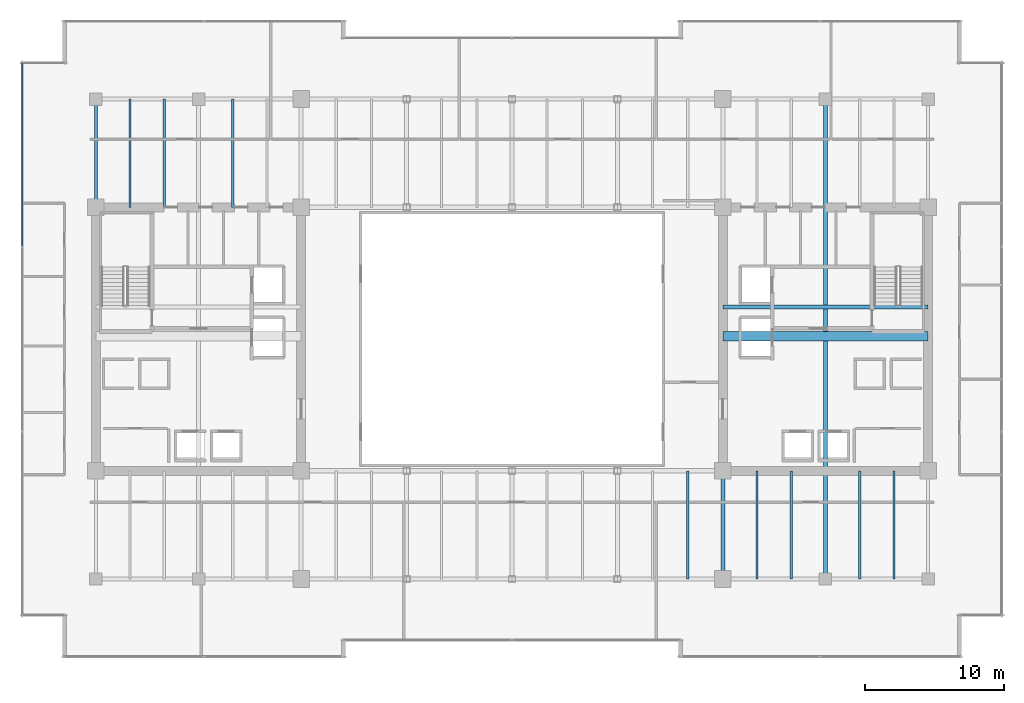
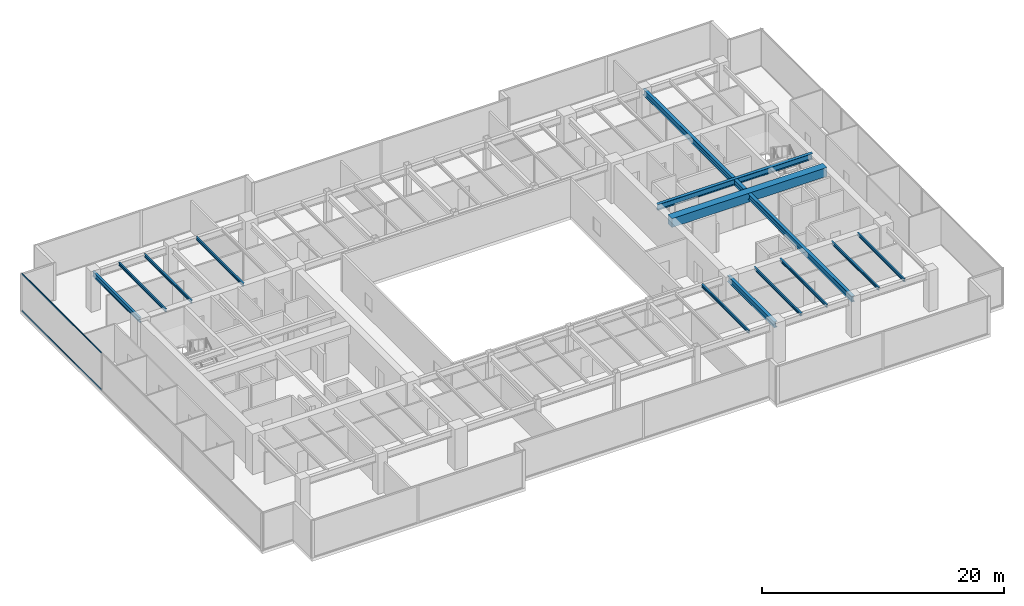
# One storey, part 13 of 31: 13 beams, 2 members, 1 element without a shape of its own.
"""IFC4 building model written with IfcOpenShell, lengths in metres."""

from ifc_helpers import new_model, si_unit, direction, frame, origin, origin_2d, place, context, subcontext, project, spatial, rectangle, hollow_rectangle, i_section, extrude, source, transform, mapped, material, layer, layer_set, material_profile, profile_set, type_object, type_shapes, element, aggregate, save


model = new_model("IFC4")

# Units and contexts
model_context = context("Model", 3, precision=1e-05, world=origin(), true_north=direction((0.0, 1.0)))
body_context = subcontext(model_context, "Body", "Model", "MODEL_VIEW")
ifc_project = project(units=[si_unit("LENGTHUNIT", "METRE"), si_unit("AREAUNIT", "SQUARE_METRE"), si_unit("VOLUMEUNIT", "CUBIC_METRE"), si_unit("PLANEANGLEUNIT", "RADIAN"), si_unit("MASSUNIT", "GRAM", prefix="KILO")], contexts=[model_context])

# Site, building, storey
site_placement = place(None, origin())
site = spatial("IfcSite", under=ifc_project, at=site_placement, CompositionType="ELEMENT")
building_placement = place(site_placement, origin())
building = spatial("IfcBuilding", under=site, at=building_placement, Name="Haelvirn Gate Laboratories", CompositionType="ELEMENT")
storey_placement = place(building_placement, frame((0.0, 0.0, 154.300048828125)))
storey = spatial("IfcBuildingStorey", under=building, at=storey_placement, Name="L37", CompositionType="ELEMENT", Elevation=154.300048828125)

# Beams
ifc_material_1 = material(Name="Concrete C60/75", Category="concrete")
ifc_material_profile_1 = material_profile(ifc_material_1, rectangle(XDim=0.699951171875, YDim=0.89990234375, at=origin_2d()), Name="RCB-700x900")
ifc_profile_set_1 = profile_set([ifc_material_profile_1], Name="Concrete C60/75")
beam_type_1 = type_object("IfcBeamType", Name="BM-RCB-900", PredefinedType="LINTEL", material=ifc_profile_set_1)
shared_shape_1 = source(origin(), body_context, "Body", "SweptSolid", [
    extrude(rectangle(XDim=0.699951171875, YDim=0.89990234375, at=origin_2d()), origin(), (0.0, 0.0, 1.0), 14.7998046875),
])
type_shapes(beam_type_1, [shared_shape_1])
beam_1_placement = place(storey_placement, frame((52.60009765625, 24.5, 3.33984375), z_axis=(1.0, 0.0, 0.0), x_axis=(0.0, 1.0, 0.0)))
element("IfcBeam", 1, at=beam_1_placement, inside=storey, type_object=beam_type_1, Name="L37 East Core Coupling Beam", PredefinedType="LINTEL", context=body_context, shape_type="MappedRepresentation", body=[
    mapped(shared_shape_1, transform((0.0, 0.0, 0.0), scale=1.0)),
])
ifc_material_2 = material(Name="Steel SM355", Category="steel")
ifc_material_profile_2 = material_profile(ifc_material_2, i_section(OverallWidth=0.300048828125, OverallDepth=0.587890625, WebThickness=0.011962890625, FlangeThickness=0.02001953125, at=origin_2d()), Name="H-588x300x12x20")
ifc_profile_set_2 = profile_set([ifc_material_profile_2], Name="Steel SM355")
beam_type_2 = type_object("IfcBeamType", Name="BM-G-588", PredefinedType="BEAM", material=ifc_profile_set_2)
shared_shape_2 = source(origin(), body_context, "Body", "SweptSolid", [
    extrude(i_section(OverallWidth=0.300048828125, OverallDepth=0.587890625, WebThickness=0.011962890625, FlangeThickness=0.02001953125, at=origin_2d()), origin(), (0.0, 0.0, 1.0), 14.7998046875),
])
beam_2_placement = place(storey_placement, frame((52.60009765625, 26.6201171875, 3.495849609375), z_axis=(1.0, 0.0, 0.0), x_axis=(0.0, 1.0, 0.0)))
element("IfcBeam", 2, at=beam_2_placement, inside=storey, type_object=beam_type_2, Name="L37 Stair ST2 Landing Header", PredefinedType="BEAM", context=body_context, shape_type="MappedRepresentation", body=[
    mapped(shared_shape_2, transform((0.0, 0.0, 0.0), scale=1.0)),
])
ifc_material_profile_3 = material_profile(ifc_material_2, i_section(OverallWidth=0.199951171875, OverallDepth=0.5, WebThickness=0.010009765625, FlangeThickness=0.01611328125, at=origin_2d()), Name="H-500x200x10x16")
ifc_profile_set_3 = profile_set([ifc_material_profile_3], Name="Steel SM355")
beam_type_3 = type_object("IfcBeamType", Name="BM-SP-500", PredefinedType="SPANDREL", material=ifc_profile_set_3)
shared_shape_3 = source(origin(), body_context, "Body", "SweptSolid", [
    extrude(i_section(OverallWidth=0.199951171875, OverallDepth=0.5, WebThickness=0.010009765625, FlangeThickness=0.01611328125, at=origin_2d()), origin(), (0.0, 0.0, 1.0), 7.800048828125),
])
type_shapes(beam_type_3, [shared_shape_3])
beam_3_placement = place(storey_placement, frame((7.39990234375, 33.800048828125, 3.5400390625), z_axis=(0.0, 1.0, 0.0), x_axis=(-1.0, 0.0, 0.0)))
element("IfcBeam", 3, at=beam_3_placement, inside=storey, type_object=beam_type_3, Name="L37 Perimeter Spandrel X7.4 (33.8-41.6)", PredefinedType="SPANDREL", context=body_context, shape_type="MappedRepresentation", body=[
    mapped(shared_shape_3, transform((0.0, 0.0, 0.0), scale=1.0)),
])
ifc_material_profile_4 = material_profile(ifc_material_2, i_section(OverallWidth=0.14990234375, OverallDepth=0.300048828125, WebThickness=0.006591796875, FlangeThickness=0.009033203125, at=origin_2d()), Name="H-300x150x6.5x9")
ifc_profile_set_4 = profile_set([ifc_material_profile_4], Name="Steel SM355")
beam_type_4 = type_object("IfcBeamType", Name="BM-J-300", PredefinedType="JOIST", material=ifc_profile_set_4)
shared_shape_4 = source(origin(), body_context, "Body", "SweptSolid", [
    extrude(i_section(OverallWidth=0.14990234375, OverallDepth=0.300048828125, WebThickness=0.006591796875, FlangeThickness=0.009033203125, at=origin_2d()), origin(), (0.0, 0.0, 1.0), 7.800048828125),
])
type_shapes(beam_type_4, [shared_shape_4])
for number, where, z_axis, x_axis, name in (
    (4, (9.8701171875, 33.800048828125, 3.639892578125), (0.0, 1.0, 0.0), (-1.0, 0.0, 0.0), "L37 Composite Lab Joist North X9.87"),
    (5, (12.330078125, 33.800048828125, 3.639892578125), (0.0, 1.0, 0.0), (-1.0, 0.0, 0.0), "L37 Composite Lab Joist North X12.33"),
    (6, (17.27001953125, 33.800048828125, 3.639892578125), (0.0, 1.0, 0.0), (-1.0, 0.0, 0.0), "L37 Composite Lab Joist North X17.27"),
    (7, (50.070068359375, 7.0, 3.639892578125), (0.0, 1.0, 0.0), (-1.0, 0.0, 0.0), "L37 Composite Lab Joist South X50.07"),
    (8, (55.070068359375, 7.0, 3.639892578125), (0.0, 1.0, 0.0), (-1.0, 0.0, 0.0), "L37 Composite Lab Joist South X55.07"),
    (9, (57.530029296875, 7.0, 3.639892578125), (0.0, 1.0, 0.0), (-1.0, 0.0, 0.0), "L37 Composite Lab Joist South X57.53"),
    (10, (62.469970703125, 7.0, 3.639892578125), (0.0, 1.0, 0.0), (-1.0, 0.0, 0.0), "L37 Composite Lab Joist South X62.47"),
    (11, (64.929931640625, 7.0, 3.639892578125), (0.0, 1.0, 0.0), (-1.0, 0.0, 0.0), "L37 Composite Lab Joist South X64.93"),
):
    element("IfcBeam", number, at=place(storey_placement, frame(where, z_axis=z_axis, x_axis=x_axis)), inside=storey, type_object=beam_type_4, Name=name, PredefinedType="JOIST", context=body_context, shape_type="MappedRepresentation", body=[
        mapped(shared_shape_4, transform((0.0, 0.0, 0.0), scale=1.0)),
    ])
shared_shape_5 = source(origin(), body_context, "Body", "SweptSolid", [
    extrude(i_section(OverallWidth=0.300048828125, OverallDepth=0.587890625, WebThickness=0.011962890625, FlangeThickness=0.02001953125, at=origin_2d()), origin(), (0.0, 0.0, 1.0), 34.60009765625),
])
beam_4_placement = place(storey_placement, frame((60.0, 7.0, 3.495849609375), z_axis=(0.0, 1.0, 0.0), x_axis=(-1.0, 0.0, 0.0)))
element("IfcBeam", 12, at=beam_4_placement, inside=storey, type_object=beam_type_2, Name="L37 Frame Girder X60.0 (7.0-41.6)", PredefinedType="BEAM", context=body_context, shape_type="MappedRepresentation", body=[
    mapped(shared_shape_5, transform((0.0, 0.0, 0.0), scale=1.0)),
])
shared_shape_6 = source(origin(), body_context, "Body", "SweptSolid", [
    extrude(i_section(OverallWidth=0.300048828125, OverallDepth=0.587890625, WebThickness=0.011962890625, FlangeThickness=0.02001953125, at=origin_2d()), origin(), (0.0, 0.0, 1.0), 7.800048828125),
])
type_shapes(beam_type_2, [shared_shape_2, shared_shape_5, shared_shape_6])
beam_5_placement = place(storey_placement, frame((52.60009765625, 7.0, 3.495849609375), z_axis=(0.0, 1.0, 0.0), x_axis=(-1.0, 0.0, 0.0)))
element("IfcBeam", 13, at=beam_5_placement, inside=storey, type_object=beam_type_2, Name="L37 Frame Girder X52.6 (7.0-14.8)", PredefinedType="BEAM", context=body_context, shape_type="MappedRepresentation", body=[
    mapped(shared_shape_6, transform((0.0, 0.0, 0.0), scale=1.0)),
])

# Curtain wall, members
ifc_material_3 = material(Name="Anodised bronze unitised aluminium & triple low-E glass", Category="aluminium")
ifc_layer = layer(ifc_material_3, 0.179931640625, Name="CW-SYS-3")
ifc_layer_set = layer_set([ifc_layer], Name="Anodised bronze unitised aluminium & triple low-E glass")
curtain_wall_type = type_object("IfcCurtainWallType", Name="CW-SYS-3", PredefinedType="NOTDEFINED", material=ifc_layer_set)
curtain_wall_placement = place(storey_placement, origin())
curtain_wall = element("IfcCurtainWall", 14, at=curtain_wall_placement, inside=storey, type_object=curtain_wall_type, Name="L37 Unitised Curtain Wall CW-L37-P0-E17", PredefinedType="NOTDEFINED")
ifc_material_4 = material(Name="Extruded aluminium 6063-T6 (anodised bronze)", Category="aluminium")
ifc_material_profile_5 = material_profile(ifc_material_4, hollow_rectangle(XDim=0.06494140625, YDim=0.139892578125, WallThickness=0.00390625, at=origin_2d()), Name="CWT-140x65x4")
ifc_profile_set_5 = profile_set([ifc_material_profile_5], Name="Extruded aluminium 6063-T6 (anodised bronze)")
member_type = type_object("IfcMemberType", Name="CWT-T140", PredefinedType="USERDEFINED", material=ifc_profile_set_5)
shared_shape_7 = source(origin(), body_context, "Body", "SweptSolid", [
    extrude(hollow_rectangle(XDim=0.06494140625, YDim=0.139892578125, WallThickness=0.00390625, at=origin_2d()), origin(), (0.0, 0.0, 1.0), 13.220947265625),
])
type_shapes(member_type, [shared_shape_7])
member_1_placement = place(storey_placement, frame((2.10009765625, 44.22509765625, 0.032470703125), z_axis=(0.0, -1.0, 0.0), x_axis=(1.0, 0.0, 0.0)))
member_1 = element("IfcMember", 15, at=member_1_placement, type_object=member_type, Name="CW3 transom 1.1", ObjectType="TRANSOM", PredefinedType="USERDEFINED", context=body_context, shape_type="MappedRepresentation", body=[
    mapped(shared_shape_7, transform((0.0, 0.0, 0.0), scale=1.0)),
])
member_2_placement = place(storey_placement, frame((2.10009765625, 44.22509765625, 3.757568359375), z_axis=(0.0, -1.0, 0.0), x_axis=(1.0, 0.0, 0.0)))
member_2 = element("IfcMember", 16, at=member_2_placement, type_object=member_type, Name="CW3 transom 1.2", ObjectType="TRANSOM", PredefinedType="USERDEFINED", context=body_context, shape_type="MappedRepresentation", body=[
    mapped(shared_shape_7, transform((0.0, 0.0, 0.0), scale=1.0)),
])
aggregate(curtain_wall, [member_1, member_2])

save(model, "model.ifc")
